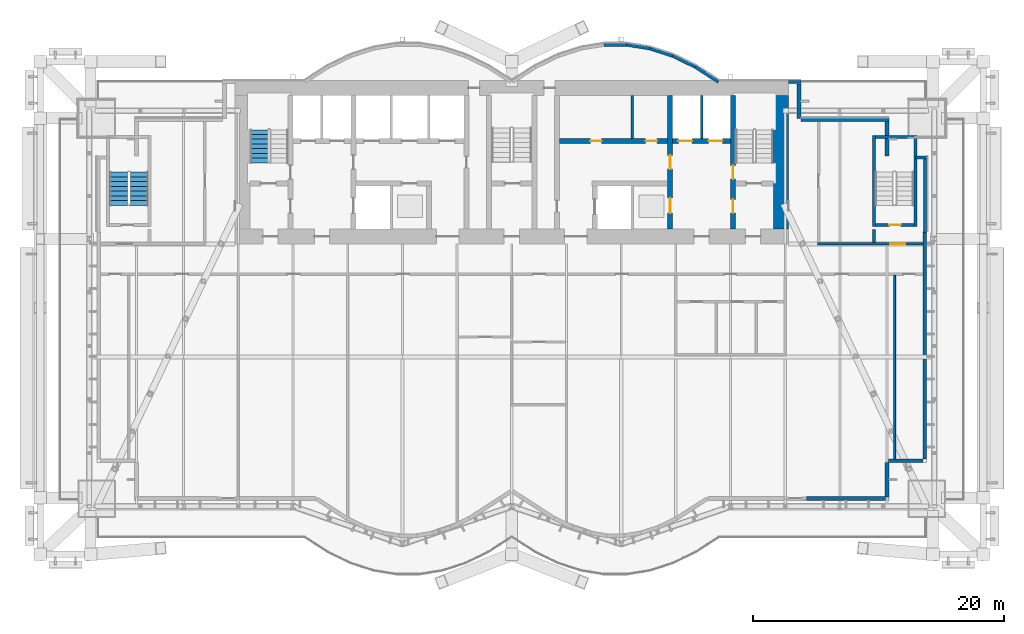
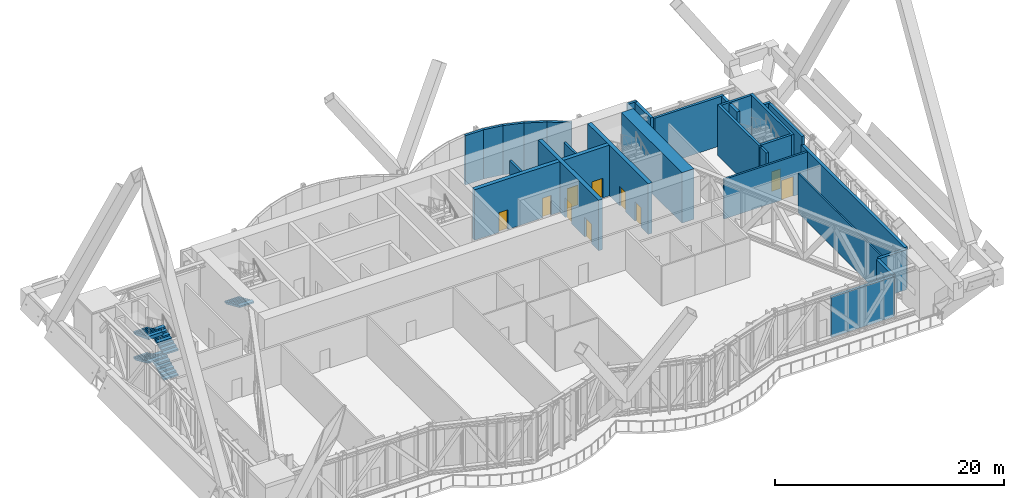
# One storey, part 27 of 32: 28 walls, 10 doors, 5 stair flights, 10 openings, 2 elements without a shape of their own.
"""IFC4 building model written with IfcOpenShell, lengths in metres."""

from ifc_helpers import new_model, si_unit, direction, frame, frame_2d, origin, place, context, subcontext, project, spatial, polyline, rectangle, outline, extrude, material, layer, layer_set, layer_usage, type_object, element, fill, aggregate, save


model = new_model("IFC4")

# Units and contexts
model_context = context("Model", 3, precision=1e-05, world=origin(), true_north=direction((0.0, 1.0)))
body_context = subcontext(model_context, "Body", "Model", "MODEL_VIEW")
ifc_project = project(units=[si_unit("LENGTHUNIT", "METRE"), si_unit("AREAUNIT", "SQUARE_METRE"), si_unit("VOLUMEUNIT", "CUBIC_METRE"), si_unit("PLANEANGLEUNIT", "RADIAN"), si_unit("MASSUNIT", "GRAM", prefix="KILO")], contexts=[model_context])

# Site, building, storey
site_placement = place(None, origin())
site = spatial("IfcSite", under=ifc_project, at=site_placement, CompositionType="ELEMENT")
building_placement = place(site_placement, origin())
building = spatial("IfcBuilding", under=site, at=building_placement, Name="Bicima Exchange Tower", CompositionType="ELEMENT")
storey_placement = place(building_placement, frame((0.0, 0.0, 135.0)))
storey = spatial("IfcBuildingStorey", under=building, at=storey_placement, Name="L29", CompositionType="ELEMENT", Elevation=135.0)

# Wall
ifc_material_1 = material(Name="Gypsum board partition")
ifc_layer_1 = layer(ifc_material_1, 0.199951171875)
ifc_layer_set_1 = layer_set([ifc_layer_1], Name="Gypsum board partition")
wall_type_1 = type_object("IfcWallType", Name="Fire-rated gypsum partition 200 EI120", PredefinedType="PARTITIONING", material=ifc_layer_set_1)
wall_1_placement = place(storey_placement, frame((15.10009765625, -4.60009765625, 0.0), z_axis=(0.0, 0.0, 1.0), x_axis=(0.0, 1.0, 0.0)))
element("IfcWall", 1, at=wall_1_placement, inside=storey, type_object=wall_type_1, Name="partition wall 23", PredefinedType="PARTITIONING", context=body_context, shape_type="SweptSolid", body=[
    extrude(rectangle(XDim=3.400146484375, YDim=0.199951171875, at=frame_2d((1.7001953125, 0.0))), origin(), (0.0, 0.0, 1.0), 4.239501953125),
])

# Wall, opening, door
ifc_layer_2 = layer(ifc_material_1, 0.199951171875)
ifc_layer_set_2 = layer_set([ifc_layer_2], Name="Gypsum board partition")
wall_type_2 = type_object("IfcWallType", Name="Fire-rated gypsum partition 200 EI60", PredefinedType="PARTITIONING", material=ifc_layer_set_2)
wall_2_placement = place(storey_placement, frame((24.300048828125, -13.0, 0.0), z_axis=(0.0, 0.0, 1.0), x_axis=(1.0, 0.0, 0.0)))
wall_2 = element("IfcWall", 2, at=wall_2_placement, inside=storey, type_object=wall_type_2, Name="partition wall 10", PredefinedType="PARTITIONING", context=body_context, shape_type="SweptSolid", body=[
    extrude(rectangle(XDim=8.39990234375, YDim=0.199951171875, at=frame_2d((4.199951171875, 0.0))), origin(), (0.0, 0.0, 1.0), 4.239501953125),
])
opening_1_placement = place(wall_2_placement, frame((5.800048828125, 0.0, 0.0)))
opening_1 = element("IfcOpeningElement", 3, at=opening_1_placement, cuts=wall_2, Name="Opening L29-003", PredefinedType="OPENING", context=body_context, shape_type="SweptSolid", body=[
    extrude(rectangle(XDim=1.199951171875, YDim=2.10009765625, at=frame_2d((0.60009765625, 1.050048828125))), frame((0.0, 0.11181640625, 0.0), z_axis=(0.0, -1.0, 0.0), x_axis=(1.0, 0.0, 0.0)), (0.0, 0.0, 1.0), 0.223876953125),
])
ifc_material_2 = material(Name="Steel fire door leaf", Category="steel")
door_type_1 = type_object("IfcDoorType", Name="Door 1200 swing FD30S", OperationType="SINGLE_SWING_LEFT", PredefinedType="DOOR", material=ifc_material_2)
door_1_placement = place(opening_1_placement, origin())
door_1 = element("IfcDoor", 4, at=door_1_placement, inside=storey, type_object=door_type_1, Name="Door", OperationType="SINGLE_SWING_RIGHT", OverallHeight=2.10009765625, OverallWidth=1.199951171875, PredefinedType="DOOR", context=body_context, shape_type="SweptSolid", body=[
    extrude(rectangle(XDim=1.199951171875, YDim=2.10009765625, at=frame_2d((0.60009765625, 1.050048828125))), frame((0.0, 0.02490234375, 0.0), z_axis=(0.0, -1.0, 0.0), x_axis=(1.0, 0.0, 0.0)), (0.0, 0.0, 1.0), 0.050048828125),
])
fill(opening_1, door_1)

# Walls
wall_3_placement = place(storey_placement, frame((9.60009765625, -4.60009765625, 0.0), z_axis=(0.0, 0.0, 1.0), x_axis=(0.0, 1.0, 0.0)))
element("IfcWall", 5, at=wall_3_placement, inside=storey, type_object=wall_type_2, Name="partition wall 21", PredefinedType="PARTITIONING", context=body_context, shape_type="SweptSolid", body=[
    extrude(rectangle(XDim=3.400146484375, YDim=0.199951171875, at=frame_2d((1.7001953125, 0.0))), origin(), (0.0, 0.0, 1.0), 4.239501953125),
])
ifc_layer_3 = layer(ifc_material_1, 0.14990234375)
ifc_layer_set_3 = layer_set([ifc_layer_3], Name="Gypsum board partition")
wall_type_3 = type_object("IfcWallType", Name="Gypsum partition 150", PredefinedType="PARTITIONING", material=ifc_layer_set_3)
wall_4_placement = place(storey_placement, frame((30.449951171875, -30.090087890625, 0.0), z_axis=(0.0, 0.0, 1.0), x_axis=(0.0, 1.0, 0.0)))
element("IfcWall", 6, at=wall_4_placement, inside=storey, type_object=wall_type_3, Name="partition wall 31", PredefinedType="PARTITIONING", context=body_context, shape_type="SweptSolid", body=[
    extrude(rectangle(XDim=14.590087890625, YDim=0.14990234375, at=frame_2d((7.294921875, 0.0))), origin(), (0.0, 0.0, 1.0), 4.239501953125),
])
ifc_material_3 = material(Name="Concrete C60/75", Category="concrete")
ifc_layer_4 = layer(ifc_material_3, 1.199951171875)
ifc_layer_set_4 = layer_set([ifc_layer_4], Name="Concrete C60/75")
wall_type_4 = type_object("IfcWallType", Name="RC core wall 1200 C60/75", PredefinedType="SHEAR", material=ifc_layer_set_4)
wall_5_placement = place(storey_placement, frame((21.39990234375, -11.800048828125, 0.0), z_axis=(0.0, 0.0, 1.0), x_axis=(0.0, 1.0, 0.0)))
element("IfcWall", 7, at=wall_5_placement, inside=storey, type_object=wall_type_4, Name="Core wall east", PredefinedType="SHEAR", context=body_context, shape_type="SweptSolid", body=[
    extrude(rectangle(XDim=10.60009765625, YDim=1.199951171875, at=frame_2d((5.300048828125, 0.0))), origin(), (0.0, 0.0, 1.0), 5.39990234375),
])
ifc_material_4 = material(Name="Concrete C50/60", Category="concrete")
ifc_layer_5 = layer(ifc_material_4, 0.25)
ifc_layer_set_5 = layer_set([ifc_layer_5], Name="Concrete C50/60")
wall_type_5 = type_object("IfcWallType", Name="RC core wall 250 C50/60", PredefinedType="SHEAR", material=ifc_layer_set_5)
wall_6_placement = place(storey_placement, frame((28.800048828125, -12.89990234375, 0.0), z_axis=(0.0, 0.0, 1.0), x_axis=(0.0, 1.0, 0.0)))
element("IfcWall", 8, at=wall_6_placement, inside=storey, type_object=wall_type_5, Name="stair wall 30", PredefinedType="SHEAR", context=body_context, shape_type="SweptSolid", body=[
    extrude(rectangle(XDim=1.0498046875, YDim=0.25, at=frame_2d((0.52490234375, 0.0))), origin(), (0.0, 0.0, 1.0), 5.39990234375),
])

# Wall, openings, doors
ifc_layer_6 = layer(ifc_material_4, 0.39990234375)
ifc_layer_set_6 = layer_set([ifc_layer_6], Name="Concrete C50/60")
wall_type_6 = type_object("IfcWallType", Name="RC core wall 400 C50/60", PredefinedType="SHEAR", material=ifc_layer_set_6)
wall_7_placement = place(storey_placement, frame((17.60009765625, -11.800048828125, 0.0), z_axis=(0.0, 0.0, 1.0), x_axis=(0.0, 1.0, 0.0)))
wall_7 = element("IfcWall", 9, at=wall_7_placement, inside=storey, type_object=wall_type_6, Name="stair wall 24", PredefinedType="SHEAR", context=body_context, shape_type="SweptSolid", body=[
    extrude(rectangle(XDim=10.60009765625, YDim=0.39990234375, at=frame_2d((5.300048828125, 0.0))), origin(), (0.0, 0.0, 1.0), 5.39990234375),
])
opening_2_placement = place(wall_7_placement, frame((1.25, 0.0, 0.0)))
opening_2 = element("IfcOpeningElement", 10, at=opening_2_placement, cuts=wall_7, Name="Opening L29-C05", PredefinedType="OPENING", context=body_context, shape_type="SweptSolid", body=[
    extrude(rectangle(XDim=1.10009765625, YDim=2.10009765625, at=frame_2d((0.550048828125, 1.050048828125))), frame((0.0, 0.2119140625, 0.0), z_axis=(0.0, -1.0, 0.0), x_axis=(1.0, 0.0, 0.0)), (0.0, 0.0, 1.0), 0.423828125),
])
opening_3_placement = place(wall_7_placement, frame((3.949951171875, 0.0, 0.0)))
opening_3 = element("IfcOpeningElement", 11, at=opening_3_placement, cuts=wall_7, Name="Opening L29-C08", PredefinedType="OPENING", context=body_context, shape_type="SweptSolid", body=[
    extrude(rectangle(XDim=1.10009765625, YDim=2.10009765625, at=frame_2d((0.550048828125, 1.050048828125))), frame((0.0, 0.2119140625, 0.0), z_axis=(0.0, -1.0, 0.0), x_axis=(1.0, 0.0, 0.0)), (0.0, 0.0, 1.0), 0.423828125),
])
door_type_2 = type_object("IfcDoorType", Name="Door 1100 swing FD60S", OperationType="SINGLE_SWING_LEFT", PredefinedType="DOOR", material=ifc_material_2)
door_2_placement = place(opening_2_placement, origin())
door_2 = element("IfcDoor", 12, at=door_2_placement, inside=storey, type_object=door_type_2, Name="Core door", OperationType="SINGLE_SWING_LEFT", OverallHeight=2.10009765625, OverallWidth=1.10009765625, PredefinedType="DOOR", context=body_context, shape_type="SweptSolid", body=[
    extrude(rectangle(XDim=1.10009765625, YDim=2.10009765625, at=frame_2d((0.550048828125, 1.050048828125))), frame((0.0, 0.02490234375, 0.0), z_axis=(0.0, -1.0, 0.0), x_axis=(1.0, 0.0, 0.0)), (0.0, 0.0, 1.0), 0.050048828125),
])
fill(opening_2, door_2)
door_3_placement = place(opening_3_placement, origin())
door_3 = element("IfcDoor", 13, at=door_3_placement, inside=storey, type_object=door_type_2, Name="Core door", OperationType="SINGLE_SWING_RIGHT", OverallHeight=2.10009765625, OverallWidth=1.10009765625, PredefinedType="DOOR", context=body_context, shape_type="SweptSolid", body=[
    extrude(rectangle(XDim=1.10009765625, YDim=2.10009765625, at=frame_2d((0.550048828125, 1.050048828125))), frame((0.0, 0.02490234375, 0.0), z_axis=(0.0, -1.0, 0.0), x_axis=(1.0, 0.0, 0.0)), (0.0, 0.0, 1.0), 0.050048828125),
])
fill(opening_3, door_3)

ifc_layer_7 = layer(ifc_material_3, 0.39990234375)
ifc_layer_set_7 = layer_set([ifc_layer_7], Name="Concrete C60/75")
wall_type_7 = type_object("IfcWallType", Name="RC core wall 400 C60/75", PredefinedType="SHEAR", material=ifc_layer_set_7)
wall_8_placement = place(storey_placement, frame((3.800048828125, -4.800048828125, 0.0), z_axis=(0.0, 0.0, 1.0), x_axis=(1.0, 0.0, 0.0)))
wall_8 = element("IfcWall", 14, at=wall_8_placement, inside=storey, type_object=wall_type_7, Name="shear wall 7", PredefinedType="SHEAR", context=body_context, shape_type="SweptSolid", body=[
    extrude(rectangle(XDim=13.599853515625, YDim=0.39990234375, at=frame_2d((6.7998046875, 0.0))), origin(), (0.0, 0.0, 1.0), 5.39990234375),
])
opening_4_placement = place(wall_8_placement, frame((9.449951171875, 0.0, 0.0)))
opening_4 = element("IfcOpeningElement", 15, at=opening_4_placement, cuts=wall_8, Name="Opening LD-FF2-L29", PredefinedType="OPENING", context=body_context, shape_type="SweptSolid", body=[
    extrude(rectangle(XDim=1.10009765625, YDim=2.10009765625, at=frame_2d((0.550048828125, 1.050048828125))), frame((0.0, 0.2119140625, 0.0), z_axis=(0.0, -1.0, 0.0), x_axis=(1.0, 0.0, 0.0)), (0.0, 0.0, 1.0), 0.423828125),
])
opening_5_placement = place(wall_8_placement, frame((11.85009765625, 0.0, 0.0)))
opening_5 = element("IfcOpeningElement", 16, at=opening_5_placement, cuts=wall_8, Name="Opening LD-SV1-L29", PredefinedType="OPENING", context=body_context, shape_type="SweptSolid", body=[
    extrude(rectangle(XDim=1.10009765625, YDim=2.10009765625, at=frame_2d((0.550048828125, 1.050048828125))), frame((0.0, 0.2119140625, 0.0), z_axis=(0.0, -1.0, 0.0), x_axis=(1.0, 0.0, 0.0)), (0.0, 0.0, 1.0), 0.423828125),
])
opening_6_placement = place(wall_8_placement, frame((2.449951171875, 0.0, 0.0)))
opening_6 = element("IfcOpeningElement", 17, at=opening_6_placement, cuts=wall_8, Name="Opening L29-C12", PredefinedType="OPENING", context=body_context, shape_type="SweptSolid", body=[
    extrude(rectangle(XDim=0.89990234375, YDim=2.10009765625, at=frame_2d((0.449951171875, 1.050048828125))), frame((0.0, 0.2119140625, 0.0), z_axis=(0.0, -1.0, 0.0), x_axis=(1.0, 0.0, 0.0)), (0.0, 0.0, 1.0), 0.423828125),
])
opening_7_placement = place(wall_8_placement, frame((6.85009765625, 0.0, 0.0)))
opening_7 = element("IfcOpeningElement", 18, at=opening_7_placement, cuts=wall_8, Name="Opening L29-C13", PredefinedType="OPENING", context=body_context, shape_type="SweptSolid", body=[
    extrude(rectangle(XDim=0.89990234375, YDim=2.10009765625, at=frame_2d((0.449951171875, 1.050048828125))), frame((0.0, 0.2119140625, 0.0), z_axis=(0.0, -1.0, 0.0), x_axis=(1.0, 0.0, 0.0)), (0.0, 0.0, 1.0), 0.423828125),
])
door_type_3 = type_object("IfcDoorType", Name="Door 900 swing FD30S", OperationType="SINGLE_SWING_LEFT", PredefinedType="DOOR", material=ifc_material_2)
door_4_placement = place(opening_6_placement, origin())
door_4 = element("IfcDoor", 19, at=door_4_placement, inside=storey, type_object=door_type_3, Name="Core door", OperationType="SINGLE_SWING_RIGHT", OverallHeight=2.10009765625, OverallWidth=0.89990234375, PredefinedType="DOOR", context=body_context, shape_type="SweptSolid", body=[
    extrude(rectangle(XDim=0.89990234375, YDim=2.10009765625, at=frame_2d((0.449951171875, 1.050048828125))), frame((0.0, 0.02490234375, 0.0), z_axis=(0.0, -1.0, 0.0), x_axis=(1.0, 0.0, 0.0)), (0.0, 0.0, 1.0), 0.050048828125),
])
fill(opening_6, door_4)
door_5_placement = place(opening_7_placement, origin())
door_5 = element("IfcDoor", 20, at=door_5_placement, inside=storey, type_object=door_type_3, Name="Core door", OperationType="SINGLE_SWING_LEFT", OverallHeight=2.10009765625, OverallWidth=0.89990234375, PredefinedType="DOOR", context=body_context, shape_type="SweptSolid", body=[
    extrude(rectangle(XDim=0.89990234375, YDim=2.10009765625, at=frame_2d((0.449951171875, 1.050048828125))), frame((0.0, 0.02490234375, 0.0), z_axis=(0.0, -1.0, 0.0), x_axis=(1.0, 0.0, 0.0)), (0.0, 0.0, 1.0), 0.050048828125),
])
fill(opening_7, door_5)
ifc_material_5 = material(Name="Stainless steel", Category="steel")
door_type_4 = type_object("IfcDoorType", Name="Lift landing door 1100 sliding", OperationType="DOUBLE_DOOR_SLIDING", PredefinedType="DOOR", material=ifc_material_5)
door_6_placement = place(opening_4_placement, origin())
door_6 = element("IfcDoor", 21, at=door_6_placement, inside=storey, type_object=door_type_4, Name="Lift landing door FF2", OperationType="DOUBLE_DOOR_SLIDING", OverallHeight=2.10009765625, OverallWidth=1.10009765625, PredefinedType="DOOR", context=body_context, shape_type="SweptSolid", body=[
    extrude(rectangle(XDim=1.10009765625, YDim=2.10009765625, at=frame_2d((0.550048828125, 1.050048828125))), frame((0.0, 0.02490234375, 0.0), z_axis=(0.0, -1.0, 0.0), x_axis=(1.0, 0.0, 0.0)), (0.0, 0.0, 1.0), 0.050048828125),
])
fill(opening_4, door_6)
door_7_placement = place(opening_5_placement, origin())
door_7 = element("IfcDoor", 22, at=door_7_placement, inside=storey, type_object=door_type_4, Name="Lift landing door SV1", OperationType="DOUBLE_DOOR_SLIDING", OverallHeight=2.10009765625, OverallWidth=1.10009765625, PredefinedType="DOOR", context=body_context, shape_type="SweptSolid", body=[
    extrude(rectangle(XDim=1.10009765625, YDim=2.10009765625, at=frame_2d((0.550048828125, 1.050048828125))), frame((0.0, 0.02490234375, 0.0), z_axis=(0.0, -1.0, 0.0), x_axis=(1.0, 0.0, 0.0)), (0.0, 0.0, 1.0), 0.050048828125),
])
fill(opening_5, door_7)

wall_9_placement = place(storey_placement, frame((12.60009765625, -11.800048828125, 0.0), z_axis=(0.0, 0.0, 1.0), x_axis=(0.0, 1.0, 0.0)))
wall_9 = element("IfcWall", 23, at=wall_9_placement, inside=storey, type_object=wall_type_7, Name="shear wall 22", PredefinedType="SHEAR", context=body_context, shape_type="SweptSolid", body=[
    extrude(rectangle(XDim=10.60009765625, YDim=0.39990234375, at=frame_2d((5.300048828125, 0.0))), origin(), (0.0, 0.0, 1.0), 5.39990234375),
])
opening_8_placement = place(wall_9_placement, frame((1.25, 0.0, 0.0)))
opening_8 = element("IfcOpeningElement", 24, at=opening_8_placement, cuts=wall_9, Name="Opening LD-MB2-L29", PredefinedType="OPENING", context=body_context, shape_type="SweptSolid", body=[
    extrude(rectangle(XDim=1.199951171875, YDim=2.10009765625, at=frame_2d((0.60009765625, 1.050048828125))), frame((0.0, 0.2119140625, 0.0), z_axis=(0.0, -1.0, 0.0), x_axis=(1.0, 0.0, 0.0)), (0.0, 0.0, 1.0), 0.423828125),
])
opening_9_placement = place(wall_9_placement, frame((4.75, 0.0, 0.0)))
opening_9 = element("IfcOpeningElement", 25, at=opening_9_placement, cuts=wall_9, Name="Opening L29-C09", PredefinedType="OPENING", context=body_context, shape_type="SweptSolid", body=[
    extrude(rectangle(XDim=1.10009765625, YDim=2.10009765625, at=frame_2d((0.550048828125, 1.050048828125))), frame((0.0, 0.2119140625, 0.0), z_axis=(0.0, -1.0, 0.0), x_axis=(1.0, 0.0, 0.0)), (0.0, 0.0, 1.0), 0.423828125),
])
door_8_placement = place(opening_9_placement, frame((1.10009765625, 0.0, 0.0), z_axis=(0.0, 0.0, 1.0), x_axis=(-1.0, 0.0, 0.0)))
door_8 = element("IfcDoor", 26, at=door_8_placement, inside=storey, type_object=door_type_2, Name="Core door", OperationType="SINGLE_SWING_RIGHT", OverallHeight=2.10009765625, OverallWidth=1.10009765625, PredefinedType="DOOR", context=body_context, shape_type="SweptSolid", body=[
    extrude(rectangle(XDim=1.10009765625, YDim=2.10009765625, at=frame_2d((0.550048828125, 1.050048828125))), frame((0.0, 0.02490234375, 0.0), z_axis=(0.0, -1.0, 0.0), x_axis=(1.0, 0.0, 0.0)), (0.0, 0.0, 1.0), 0.050048828125),
])
fill(opening_9, door_8)
door_type_5 = type_object("IfcDoorType", Name="Lift landing door 1200 sliding", OperationType="DOUBLE_DOOR_SLIDING", PredefinedType="DOOR", material=ifc_material_5)
door_9_placement = place(opening_8_placement, origin())
door_9 = element("IfcDoor", 27, at=door_9_placement, inside=storey, type_object=door_type_5, Name="Lift landing door MB2", OperationType="DOUBLE_DOOR_SLIDING", OverallHeight=2.10009765625, OverallWidth=1.199951171875, PredefinedType="DOOR", context=body_context, shape_type="SweptSolid", body=[
    extrude(rectangle(XDim=1.199951171875, YDim=2.10009765625, at=frame_2d((0.60009765625, 1.050048828125))), frame((0.0, 0.02490234375, 0.0), z_axis=(0.0, -1.0, 0.0), x_axis=(1.0, 0.0, 0.0)), (0.0, 0.0, 1.0), 0.050048828125),
])
fill(opening_8, door_9)

# Walls
ifc_layer_8 = layer(ifc_material_4, 0.25)
ifc_layer_set_8 = layer_set([ifc_layer_8], Name="Concrete C50/60")
wall_type_8 = type_object("IfcWallType", Name="RC stair enclosure wall 250 C50/60", PredefinedType="SHEAR", material=ifc_layer_set_8)
for number, where, z_axis, x_axis, name in (
    (28, (28.800048828125, -11.625, 0.0), (0.0, 0.0, 1.0), (0.0, 1.0, 0.0), "East end exit stair wall W"),
    (29, (32.10009765625, -11.625, 0.0), (0.0, 0.0, 1.0), (0.0, 1.0, 0.0), "East end exit stair wall E"),
):
    element("IfcWall", number, at=place(storey_placement, frame(where, z_axis=z_axis, x_axis=x_axis)), inside=storey, type_object=wall_type_8, Name=name, PredefinedType="SHEAR", context=body_context, shape_type="SweptSolid", body=[
        extrude(rectangle(XDim=7.25, YDim=0.25, at=frame_2d((3.625, 0.0))), origin(), (0.0, 0.0, 1.0), 5.39990234375),
    ])

# Wall, opening, door
wall_10_placement = place(storey_placement, frame((28.925048828125, -11.5, 0.0), z_axis=(0.0, 0.0, 1.0), x_axis=(1.0, 0.0, 0.0)))
wall_10 = element("IfcWall", 30, at=wall_10_placement, inside=storey, type_object=wall_type_8, Name="East end exit stair wall S", PredefinedType="SHEAR", context=body_context, shape_type="SweptSolid", body=[
    extrude(rectangle(XDim=3.050048828125, YDim=0.25, at=frame_2d((1.52490234375, 0.0))), origin(), (0.0, 0.0, 1.0), 5.39990234375),
])
opening_10_placement = place(wall_10_placement, frame((1.10009765625, 0.0, 0.0)))
opening_10 = element("IfcOpeningElement", 31, at=opening_10_placement, cuts=wall_10, Name="Opening L29-004", PredefinedType="OPENING", context=body_context, shape_type="SweptSolid", body=[
    extrude(rectangle(XDim=0.89990234375, YDim=2.10009765625, at=frame_2d((0.449951171875, 1.050048828125))), frame((0.0, 0.136962890625, 0.0), z_axis=(0.0, -1.0, 0.0), x_axis=(1.0, 0.0, 0.0)), (0.0, 0.0, 1.0), 0.27392578125),
])
door_type_6 = type_object("IfcDoorType", Name="Door 900 swing FD60S", OperationType="SINGLE_SWING_LEFT", PredefinedType="DOOR", material=ifc_material_2)
door_10_placement = place(opening_10_placement, origin())
door_10 = element("IfcDoor", 32, at=door_10_placement, inside=storey, type_object=door_type_6, Name="Door", OperationType="SINGLE_SWING_LEFT", OverallHeight=2.10009765625, OverallWidth=0.89990234375, PredefinedType="DOOR", context=body_context, shape_type="SweptSolid", body=[
    extrude(rectangle(XDim=0.89990234375, YDim=2.10009765625, at=frame_2d((0.449951171875, 1.050048828125))), frame((0.0, 0.02490234375, 0.0), z_axis=(0.0, -1.0, 0.0), x_axis=(1.0, 0.0, 0.0)), (0.0, 0.0, 1.0), 0.050048828125),
])
fill(opening_10, door_10)

# Walls
wall_11_placement = place(storey_placement, frame((28.925048828125, -4.5, 0.0), z_axis=(0.0, 0.0, 1.0), x_axis=(1.0, 0.0, 0.0)))
element("IfcWall", 33, at=wall_11_placement, inside=storey, type_object=wall_type_8, Name="East end exit stair wall N", PredefinedType="SHEAR", context=body_context, shape_type="SweptSolid", body=[
    extrude(rectangle(XDim=3.050048828125, YDim=0.25, at=frame_2d((1.52490234375, 0.0))), origin(), (0.0, 0.0, 1.0), 5.39990234375),
])
ifc_material_6 = material(Name="Concrete C40/50", Category="concrete")
ifc_layer_9 = layer(ifc_material_6, 0.25)
ifc_layer_set_9 = layer_set([ifc_layer_9], Name="Concrete C40/50")
ifc_layer_usage_1 = layer_usage(ifc_layer_set_9, "AXIS2", "POSITIVE", -0.125)
wall_type_9 = type_object("IfcWallType", Name="Rear backup wall 250", PredefinedType="STANDARD", material=ifc_layer_set_9)
wall_12_placement = place(storey_placement, frame((32.875, -12.090087890625, 0.0), z_axis=(0.0, 0.0, 1.0), x_axis=(0.0, 1.0, 0.0)))
element("IfcWall", 34, at=wall_12_placement, inside=storey, type_object=wall_type_9, material=ifc_layer_usage_1, Name="Rear backup wall L29 2", PredefinedType="STANDARD", context=body_context, shape_type="SweptSolid", body=[
    extrude(rectangle(XDim=6.090087890625, YDim=0.25, at=frame_2d((3.044921875, 0.0))), origin(), (0.0, 0.0, 1.0), 5.25),
])
wall_13_placement = place(storey_placement, frame((33.0, -6.125, 0.0), z_axis=(0.0, 0.0, 1.0), x_axis=(-1.0, 0.0, 0.0)))
element("IfcWall", 35, at=wall_13_placement, inside=storey, type_object=wall_type_9, material=ifc_layer_usage_1, Name="Rear backup wall L29 3", PredefinedType="STANDARD", context=body_context, shape_type="SweptSolid", body=[
    extrude(rectangle(XDim=0.889892578125, YDim=0.25, at=frame_2d((0.44482421875, 0.0))), origin(), (0.0, 0.0, 1.0), 5.25),
])
wall_14_placement = place(storey_placement, frame((30.0, -3.125, 0.0), z_axis=(0.0, 0.0, 1.0), x_axis=(-1.0, 0.0, 0.0)))
element("IfcWall", 36, at=wall_14_placement, inside=storey, type_object=wall_type_9, material=ifc_layer_usage_1, Name="Rear backup wall L29 5", PredefinedType="STANDARD", context=body_context, shape_type="SweptSolid", body=[
    extrude(rectangle(XDim=7.0, YDim=0.25, at=frame_2d((3.5, 0.0))), origin(), (0.0, 0.0, 1.0), 5.25),
])
wall_15_placement = place(storey_placement, frame((23.0, -0.125, 0.0), z_axis=(0.0, 0.0, 1.0), x_axis=(-1.0, 0.0, 0.0)))
element("IfcWall", 37, at=wall_15_placement, inside=storey, type_object=wall_type_9, material=ifc_layer_usage_1, Name="Rear backup wall L29 7", PredefinedType="STANDARD", context=body_context, shape_type="SweptSolid", body=[
    extrude(rectangle(XDim=1.0, YDim=0.25, at=frame_2d((0.5, 0.0))), origin(), (0.0, 0.0, 1.0), 5.25),
])
wall_16_placement = place(storey_placement, frame((16.43212890625, -0.10498046875, 0.0), z_axis=(0.0, 0.0, 1.0), x_axis=(-0.83981312244, 0.542875602121, 0.0)))
element("IfcWall", 38, at=wall_16_placement, inside=storey, type_object=wall_type_9, material=ifc_layer_usage_1, Name="Rear backup wall L29 8", PredefinedType="STANDARD", context=body_context, shape_type="SweptSolid", body=[
    extrude(rectangle(XDim=2.182861328125, YDim=0.25, at=frame_2d((1.09130859375, 0.0))), origin(), (0.0, 0.0, 1.0), 5.25),
])
wall_17_placement = place(storey_placement, frame((14.6123046875, 1.07275390625, 0.0), z_axis=(0.0, 0.0, 1.0), x_axis=(-0.89982408427, 0.436252928206, 0.0)))
element("IfcWall", 39, at=wall_17_placement, inside=storey, type_object=wall_type_9, material=ifc_layer_usage_1, Name="Rear backup wall L29 9", PredefinedType="STANDARD", context=body_context, shape_type="SweptSolid", body=[
    extrude(rectangle(XDim=2.03759765625, YDim=0.25, at=frame_2d((1.018798828125, 0.0))), origin(), (0.0, 0.0, 1.0), 5.25),
])
wall_18_placement = place(storey_placement, frame((12.794921875, 1.955078125, 0.0), z_axis=(0.0, 0.0, 1.0), x_axis=(-0.951495806175, 0.307661714928, 0.0)))
element("IfcWall", 40, at=wall_18_placement, inside=storey, type_object=wall_type_9, material=ifc_layer_usage_1, Name="Rear backup wall L29 10", PredefinedType="STANDARD", context=body_context, shape_type="SweptSolid", body=[
    extrude(rectangle(XDim=1.9267578125, YDim=0.25, at=frame_2d((0.96337890625, 0.0))), origin(), (0.0, 0.0, 1.0), 5.25),
])
wall_19_placement = place(storey_placement, frame((10.97998046875, 2.543212890625, 0.0), z_axis=(0.0, 0.0, 1.0), x_axis=(-0.987181718931, 0.159600293885, 0.0)))
element("IfcWall", 41, at=wall_19_placement, inside=storey, type_object=wall_type_9, material=ifc_layer_usage_1, Name="Rear backup wall L29 11", PredefinedType="STANDARD", context=body_context, shape_type="SweptSolid", body=[
    extrude(rectangle(XDim=1.857177734375, YDim=0.25, at=frame_2d((0.9287109375, 0.0))), origin(), (0.0, 0.0, 1.0), 5.25),
])
wall_20_placement = place(storey_placement, frame((9.166748046875, 2.837890625, 0.0), z_axis=(0.0, 0.0, 1.0), x_axis=(-1.0, 0.0, 0.0)))
element("IfcWall", 42, at=wall_20_placement, inside=storey, type_object=wall_type_9, material=ifc_layer_usage_1, Name="Rear backup wall L29 12", PredefinedType="STANDARD", context=body_context, shape_type="SweptSolid", body=[
    extrude(rectangle(XDim=1.83349609375, YDim=0.25, at=frame_2d((0.916748046875, 0.0))), origin(), (0.0, 0.0, 1.0), 5.25),
])
ifc_layer_10 = layer(ifc_material_6, 0.3)
ifc_layer_set_10 = layer_set([ifc_layer_10], Name="Concrete C40/50")
ifc_layer_usage_2 = layer_usage(ifc_layer_set_10, "AXIS2", "POSITIVE", -0.15)
wall_type_10 = type_object("IfcWallType", Name="Refuge band wall 300", PredefinedType="STANDARD", material=ifc_layer_set_10)
wall_21_placement = place(storey_placement, frame((32.85009765625, -30.112060546875, 0.0), z_axis=(0.0, 0.0, 1.0), x_axis=(0.0, 1.0, 0.0)))
element("IfcWall", 43, at=wall_21_placement, inside=storey, type_object=wall_type_10, material=ifc_layer_usage_2, Name="Refuge band wall L29", PredefinedType="STANDARD", context=body_context, shape_type="SweptSolid", body=[
    extrude(rectangle(XDim=18.112060546875, YDim=0.300048828125, at=frame_2d((9.05615234375, 0.0))), origin(), (0.0, 0.0, 1.0), 4.338134765625),
])
for number, where, z_axis, x_axis, name in (
    (44, (29.85009765625, -6.024169921875, 0.0), (0.0, 0.0, 1.0), (0.0, 1.0, 0.0), "Refuge band wall L29"),
    (45, (22.85009765625, -3.024169921875, 0.0), (0.0, 0.0, 1.0), (0.0, 1.0, 0.0), "Refuge band wall L29"),
):
    element("IfcWall", number, at=place(storey_placement, frame(where, z_axis=z_axis, x_axis=x_axis)), inside=storey, type_object=wall_type_10, material=ifc_layer_usage_2, Name=name, PredefinedType="STANDARD", context=body_context, shape_type="SweptSolid", body=[
        extrude(rectangle(XDim=2.748291015625, YDim=0.300048828125, at=frame_2d((1.3740234375, 0.0))), origin(), (0.0, 0.0, 1.0), 5.25),
    ])
wall_22_placement = place(storey_placement, frame((23.449951171875, -33.238037109375, 0.0), z_axis=(0.0, 0.0, 1.0), x_axis=(1.0, 0.0, 0.0)))
element("IfcWall", 46, at=wall_22_placement, inside=storey, type_object=wall_type_10, material=ifc_layer_usage_2, Name="Refuge band wall L29", PredefinedType="STANDARD", context=body_context, shape_type="SweptSolid", body=[
    extrude(rectangle(XDim=6.274169921875, YDim=0.300048828125, at=frame_2d((3.13720703125, 0.0))), origin(), (0.0, 0.0, 1.0), 4.27978515625),
])
wall_23_placement = place(storey_placement, frame((29.85009765625, -33.112060546875, 0.0), z_axis=(0.0, 0.0, 1.0), x_axis=(0.0, 1.0, 0.0)))
element("IfcWall", 47, at=wall_23_placement, inside=storey, type_object=wall_type_10, material=ifc_layer_usage_2, Name="Refuge band wall L29", PredefinedType="STANDARD", context=body_context, shape_type="SweptSolid", body=[
    extrude(rectangle(XDim=2.748046875, YDim=0.300048828125, at=frame_2d((1.3740234375, 0.0))), origin(), (0.0, 0.0, 1.0), 4.27978515625),
])
wall_24_placement = place(storey_placement, frame((29.975830078125, -30.238037109375, 0.0), z_axis=(0.0, 0.0, 1.0), x_axis=(1.0, 0.0, 0.0)))
element("IfcWall", 48, at=wall_24_placement, inside=storey, type_object=wall_type_10, material=ifc_layer_usage_2, Name="Refuge band wall L29", PredefinedType="STANDARD", context=body_context, shape_type="SweptSolid", body=[
    extrude(rectangle(XDim=2.748291015625, YDim=0.300048828125, at=frame_2d((1.3740234375, 0.0))), origin(), (0.0, 0.0, 1.0), 4.27978515625),
])

# Stair, stair flight
stair_type = type_object("IfcStairType", Name="Exit stair", PredefinedType="HALF_TURN_STAIR", material=ifc_material_4)
stair_1_placement = place(storey_placement, origin())
stair_1 = element("IfcStair", 49, at=stair_1_placement, inside=storey, type_object=stair_type, Name="L29 West exit stair", PredefinedType="HALF_TURN_STAIR")
stair_flight_type = type_object("IfcStairFlightType", Name="Stair flight RC", PredefinedType="STRAIGHT", material=ifc_material_4)
stair_flight_1_placement = place(storey_placement, frame((-20.074951171875, -3.919921875, 1.35009765625), z_axis=(0.0, 0.0, 1.0), x_axis=(0.0, -1.0, 0.0)))
stair_flight_1 = element("IfcStairFlight", 50, at=stair_flight_1_placement, type_object=stair_flight_type, Name="ST-W flight 2", NumberOfRisers=8, NumberOfTreads=7, PredefinedType="STRAIGHT", RiserHeight=0.16875, TreadLength=0.375714286, context=body_context, shape_type="SweptSolid", body=[
    extrude(outline(polyline([(0.0, 0.0), (0.0, 0.168701171875), (0.375732421875, 0.168701171875), (0.375732421875, 0.33740234375), (0.75146484375, 0.33740234375), (0.75146484375, 0.50634765625), (1.127197265625, 0.50634765625), (1.127197265625, 0.675048828125), (1.5029296875, 0.675048828125), (1.5029296875, 0.84375), (1.878662109375, 0.84375), (1.878662109375, 1.012451171875), (2.25439453125, 1.012451171875), (2.25439453125, 1.18115234375), (2.6298828125, 1.18115234375), (2.6298828125, 1.35009765625), (2.6298828125, 1.016845703125), (0.365966796875, 0.0), (0.0, 0.0)])), frame((0.0, 0.72509765625, 0.0), z_axis=(0.0, -1.0, 0.0), x_axis=(1.0, 0.0, 0.0)), (0.0, 0.0, 1.0), 1.449951171875),
])
aggregate(stair_1, [stair_flight_1])

# Stair, stair flights
stair_2_placement = place(storey_placement, origin())
stair_2 = element("IfcStair", 51, at=stair_2_placement, inside=storey, type_object=stair_type, Name="L29 West end exit stair", PredefinedType="HALF_TURN_STAIR")
stair_flight_2_placement = place(storey_placement, frame((-29.64990234375, -9.925048828125, 0.0), z_axis=(0.0, 0.0, 1.0), x_axis=(0.0, 1.0, 0.0)))
stair_flight_2 = element("IfcStairFlight", 52, at=stair_flight_2_placement, type_object=stair_flight_type, Name="ST-WW flight 1", NumberOfRisers=8, NumberOfTreads=7, PredefinedType="STRAIGHT", RiserHeight=0.16875, TreadLength=0.375714286, context=body_context, shape_type="SweptSolid", body=[
    extrude(outline(polyline([(0.0, 0.0), (0.0, 0.168701171875), (0.375732421875, 0.168701171875), (0.375732421875, 0.33740234375), (0.75146484375, 0.33740234375), (0.75146484375, 0.50634765625), (1.127197265625, 0.50634765625), (1.127197265625, 0.675048828125), (1.5029296875, 0.675048828125), (1.5029296875, 0.84375), (1.878662109375, 0.84375), (1.878662109375, 1.012451171875), (2.25439453125, 1.012451171875), (2.25439453125, 1.18115234375), (2.6298828125, 1.18115234375), (2.6298828125, 1.35009765625), (2.6298828125, 1.016845703125), (0.365966796875, 0.0), (0.0, 0.0)])), frame((0.0, 0.72509765625, 0.0), z_axis=(0.0, -1.0, 0.0), x_axis=(1.0, 0.0, 0.0)), (0.0, 0.0, 1.0), 1.449951171875),
])
stair_flight_3_placement = place(storey_placement, frame((-31.25, -7.294921875, 1.35009765625), z_axis=(0.0, 0.0, 1.0), x_axis=(0.0, -1.0, 0.0)))
stair_flight_3 = element("IfcStairFlight", 53, at=stair_flight_3_placement, type_object=stair_flight_type, Name="ST-WW flight 2", NumberOfRisers=8, NumberOfTreads=7, PredefinedType="STRAIGHT", RiserHeight=0.16875, TreadLength=0.375714286, context=body_context, shape_type="SweptSolid", body=[
    extrude(outline(polyline([(0.0, 0.0), (0.0, 0.168701171875), (0.375732421875, 0.168701171875), (0.375732421875, 0.33740234375), (0.75146484375, 0.33740234375), (0.75146484375, 0.50634765625), (1.127197265625, 0.50634765625), (1.127197265625, 0.675048828125), (1.5029296875, 0.675048828125), (1.5029296875, 0.84375), (1.878662109375, 0.84375), (1.878662109375, 1.012451171875), (2.25439453125, 1.012451171875), (2.25439453125, 1.18115234375), (2.6298828125, 1.18115234375), (2.6298828125, 1.35009765625), (2.6298828125, 1.016845703125), (0.365966796875, 0.0), (0.0, 0.0)])), frame((0.0, 0.72509765625, 0.0), z_axis=(0.0, -1.0, 0.0), x_axis=(1.0, 0.0, 0.0)), (0.0, 0.0, 1.0), 1.449951171875),
])
stair_flight_4_placement = place(storey_placement, frame((-29.64990234375, -9.925048828125, 2.699951171875), z_axis=(0.0, 0.0, 1.0), x_axis=(0.0, 1.0, 0.0)))
stair_flight_4 = element("IfcStairFlight", 54, at=stair_flight_4_placement, type_object=stair_flight_type, Name="ST-WW flight 3", NumberOfRisers=8, NumberOfTreads=7, PredefinedType="STRAIGHT", RiserHeight=0.16875, TreadLength=0.375714286, context=body_context, shape_type="SweptSolid", body=[
    extrude(outline(polyline([(0.0, 0.0), (0.0, 0.168701171875), (0.375732421875, 0.168701171875), (0.375732421875, 0.33740234375), (0.75146484375, 0.33740234375), (0.75146484375, 0.50634765625), (1.127197265625, 0.50634765625), (1.127197265625, 0.675048828125), (1.5029296875, 0.675048828125), (1.5029296875, 0.84375), (1.878662109375, 0.84375), (1.878662109375, 1.012451171875), (2.25439453125, 1.012451171875), (2.25439453125, 1.18115234375), (2.6298828125, 1.18115234375), (2.6298828125, 1.35009765625), (2.6298828125, 1.016845703125), (0.365966796875, 0.0), (0.0, 0.0)])), frame((0.0, 0.72509765625, 0.0), z_axis=(0.0, -1.0, 0.0), x_axis=(1.0, 0.0, 0.0)), (0.0, 0.0, 1.0), 1.449951171875),
])
stair_flight_5_placement = place(storey_placement, frame((-31.25, -7.294921875, 4.050048828125), z_axis=(0.0, 0.0, 1.0), x_axis=(0.0, -1.0, 0.0)))
stair_flight_5 = element("IfcStairFlight", 55, at=stair_flight_5_placement, type_object=stair_flight_type, Name="ST-WW flight 4", NumberOfRisers=8, NumberOfTreads=7, PredefinedType="STRAIGHT", RiserHeight=0.16875, TreadLength=0.375714286, context=body_context, shape_type="SweptSolid", body=[
    extrude(outline(polyline([(0.0, 0.0), (0.0, 0.168701171875), (0.375732421875, 0.168701171875), (0.375732421875, 0.33740234375), (0.75146484375, 0.33740234375), (0.75146484375, 0.50634765625), (1.127197265625, 0.50634765625), (1.127197265625, 0.675048828125), (1.5029296875, 0.675048828125), (1.5029296875, 0.84375), (1.878662109375, 0.84375), (1.878662109375, 1.012451171875), (2.25439453125, 1.012451171875), (2.25439453125, 1.18115234375), (2.6298828125, 1.18115234375), (2.6298828125, 1.2041015625), (2.64501953125, 1.2041015625), (2.64501953125, 0.85498046875), (0.365966796875, 0.0), (0.0, 0.0)])), frame((0.0, 0.72509765625, 0.0), z_axis=(0.0, -1.0, 0.0), x_axis=(1.0, 0.0, 0.0)), (0.0, 0.0, 1.0), 1.449951171875),
])
aggregate(stair_2, [stair_flight_2, stair_flight_3, stair_flight_4, stair_flight_5])

save(model, "model.ifc")
